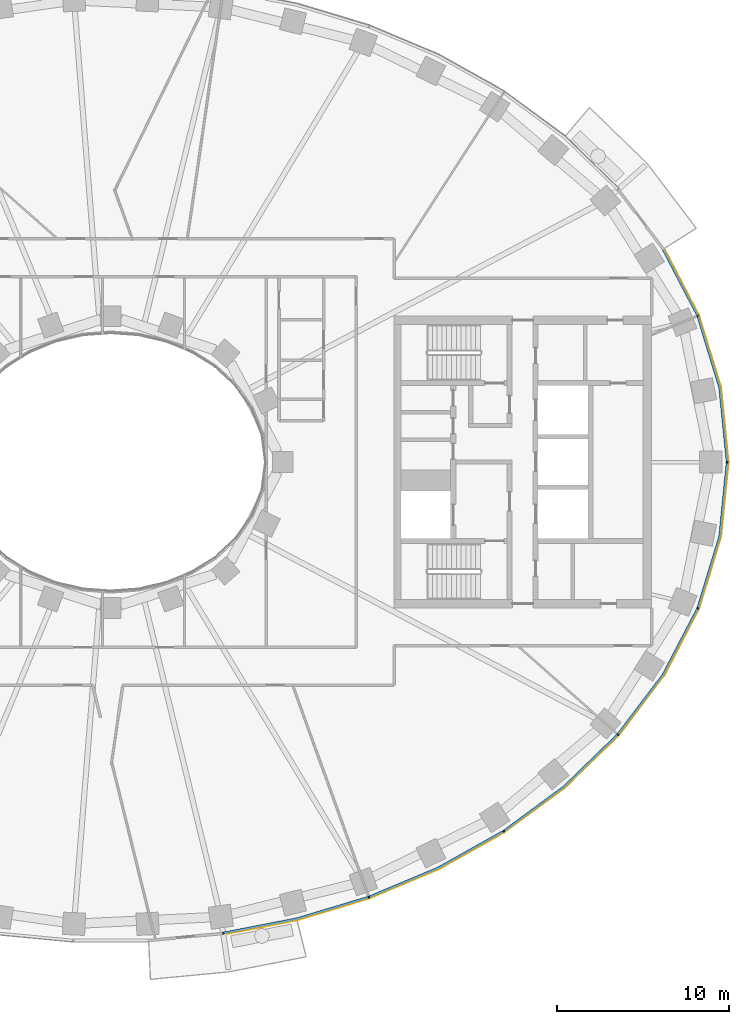
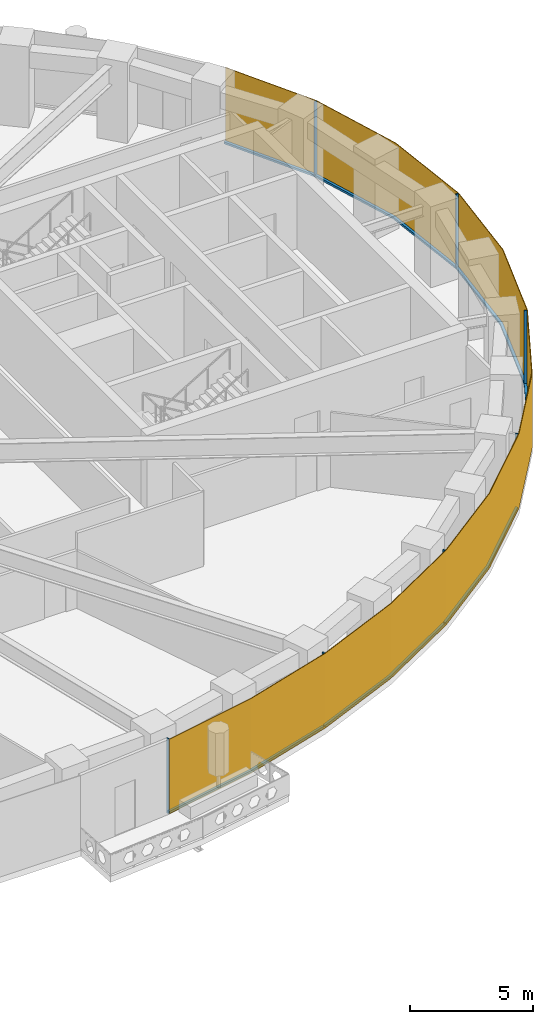
# One storey, part 10 of 16: 14 members, 1 curtain wall.
"""IFC4 building model written with IfcOpenShell, lengths in metres."""

import ifcopenshell
import ifcopenshell.guid

model = None  # the IFC model being written
_history = None  # IfcOwnerHistory: only IFC2X3 demands one
_inside = {}  # id of a spatial element -> (the spatial element, [elements in it])
_under = {}  # id of a project, library or spatial element -> (it, [spatial elements below it])
_declared = {}  # id of a project -> (the project, [libraries it declares])
_typed = {}  # id of a type object -> (the type object, [elements of that type])
_made_of = {}  # id of a material, layer set ... -> (it, [elements and type objects made of it])


def new_model(schema):
    """Start an empty IFC model of exactly this schema.

    Asked for "IFC4X3", IfcOpenShell would pick the latest addendum, in which some entities
    have other attributes; the version numbers below select the first issue.
    IFC2X3 requires an IfcOwnerHistory on every rooted entity: one is made here for all.
    """
    global model, _history
    if schema == "IFC4X3":
        model = ifcopenshell.file(schema_version=(4, 3, 0, 0))
    else:
        model = ifcopenshell.file(schema=schema)
    _inside.clear()
    _under.clear()
    _declared.clear()
    _typed.clear()
    _made_of.clear()
    _history = None
    if model.schema == "IFC2X3":
        org = make("IfcOrganization", Name="unknown")
        user = make(
            "IfcPersonAndOrganization",
            ThePerson=make("IfcPerson", FamilyName="unknown"),
            TheOrganization=org,
        )
        app = make(
            "IfcApplication",
            ApplicationDeveloper=org,
            Version="unknown",
            ApplicationFullName="unknown",
            ApplicationIdentifier="unknown",
        )
        _history = make(
            "IfcOwnerHistory",
            OwningUser=user,
            OwningApplication=app,
            ChangeAction="ADDED",
            CreationDate=0,
        )
    return model


def make(cls, **values):
    """One entity of the class cls with the attributes given. An attribute that is None is left unset."""
    return model.create_entity(
        cls, **{name: value for name, value in values.items() if value is not None}
    )


def rooted(cls, **values):
    """An entity with a GlobalId (a new one), such as an element, a storey or a relation."""
    return make(cls, GlobalId=ifcopenshell.guid.new(), OwnerHistory=_history, **values)


def si_unit(unit_type, name, prefix=None):
    """IfcSIUnit, for example si_unit("LENGTHUNIT", "METRE", prefix="MILLI")."""
    return make("IfcSIUnit", UnitType=unit_type, Prefix=prefix, Name=name)


def assignment(units):
    """IfcUnitAssignment: the units of a project."""
    return None if units is None else make("IfcUnitAssignment", Units=units)


def point(xyz):
    """IfcCartesianPoint."""
    return None if xyz is None else make("IfcCartesianPoint", Coordinates=xyz)


def direction(xyz):
    """IfcDirection."""
    return None if xyz is None else make("IfcDirection", DirectionRatios=xyz)


def frame(location, z_axis=None, x_axis=None):
    """IfcAxis2Placement3D, a coordinate frame: its origin and axes. An axis left out is left unset."""
    return make(
        "IfcAxis2Placement3D",
        Location=point(location),
        Axis=direction(z_axis),
        RefDirection=direction(x_axis),
    )


def frame_2d(location, x_axis=None):
    """IfcAxis2Placement2D, a coordinate frame in the plane: its origin and x axis."""
    return make(
        "IfcAxis2Placement2D", Location=point(location), RefDirection=direction(x_axis)
    )


def origin():
    """The frame at (0, 0, 0) with its axes left unset."""
    return frame((0.0, 0.0, 0.0))


def origin_2d():
    """The frame at (0, 0) in the plane with its x axis left unset."""
    return frame_2d((0.0, 0.0))


def place(relative_to, where):
    """IfcLocalPlacement: puts the frame where relative to a parent placement (None: the world)."""
    return make(
        "IfcLocalPlacement", PlacementRelTo=relative_to, RelativePlacement=where
    )


def context(
    kind, dimensions, precision=None, world=None, true_north=None, identifier=None
):
    """IfcGeometricRepresentationContext, for example the 3D "Model" context."""
    return make(
        "IfcGeometricRepresentationContext",
        ContextIdentifier=identifier,
        ContextType=kind,
        CoordinateSpaceDimension=dimensions,
        Precision=precision,
        WorldCoordinateSystem=world,
        TrueNorth=true_north,
    )


def subcontext(parent, identifier, kind, view, scale=None):
    """IfcGeometricRepresentationSubContext, for example "Body" below "Model"."""
    return make(
        "IfcGeometricRepresentationSubContext",
        ContextIdentifier=identifier,
        ContextType=kind,
        ParentContext=parent,
        TargetScale=scale,
        TargetView=view,
    )


def project(units=None, contexts=None):
    """IfcProject with its units and contexts."""
    return rooted(
        "IfcProject",
        Name="project",
        RepresentationContexts=contexts,
        UnitsInContext=assignment(units),
    )


def spatial(cls, under=None, at=None, **own):
    """A site, building, storey or space (cls), placed at a placement, below another one or the project."""
    s = rooted(cls, ObjectPlacement=at, **own)
    if under is not None:
        _under.setdefault(under.id(), (under, []))[1].append(s)
    return s


def polyline(points):
    """IfcPolyline through the points."""
    return make("IfcPolyline", Points=[point(p) for p in points])


def profile(cls, at=None, kind="AREA", **sizes):
    """A parametric profile (cls). Its sizes go by their IFC names, for example OverallWidth=200.0."""
    return make(cls, ProfileType=kind, Position=at, **sizes)


def rectangle(**sizes):
    """IfcRectangleProfileDef."""
    return profile("IfcRectangleProfileDef", **sizes)


def outline(outer, holes=None, kind="AREA"):
    """IfcArbitraryClosedProfileDef: a profile drawn as a closed curve; with holes, ...WithVoids."""
    if holes is None:
        return make("IfcArbitraryClosedProfileDef", ProfileType=kind, OuterCurve=outer)
    return make(
        "IfcArbitraryProfileDefWithVoids",
        ProfileType=kind,
        OuterCurve=outer,
        InnerCurves=holes,
    )


def extrude(swept, where, along, depth):
    """IfcExtrudedAreaSolid: the profile swept, set in the frame where, extruded along a direction by depth."""
    return make(
        "IfcExtrudedAreaSolid",
        SweptArea=swept,
        Position=where,
        ExtrudedDirection=direction(along),
        Depth=depth,
    )


def shape(context_of_items, identifier, shape_type, items):
    """IfcShapeRepresentation: the items that make up one representation, for example the "Body"."""
    return make(
        "IfcShapeRepresentation",
        ContextOfItems=context_of_items,
        RepresentationIdentifier=identifier,
        RepresentationType=shape_type,
        Items=items,
    )


def material(Name=None, Category=None):
    """IfcMaterial."""
    return make("IfcMaterial", Name=Name, Category=Category)


def layer(
    of_material, thickness, ventilated=None, Name=None, Category=None, Priority=None
):
    """IfcMaterialLayer: one layer of a wall or slab, of a material (None: an air gap)."""
    return make(
        "IfcMaterialLayer",
        Material=of_material,
        LayerThickness=thickness,
        IsVentilated=ventilated,
        Name=Name,
        Category=Category,
        Priority=Priority,
    )


def layer_set(layers, Name=None):
    """IfcMaterialLayerSet."""
    return make("IfcMaterialLayerSet", MaterialLayers=layers, LayerSetName=Name)


def material_profile(
    of_material, cross_section, Name=None, Category=None, Priority=None
):
    """IfcMaterialProfile: a cross section and its material."""
    return make(
        "IfcMaterialProfile",
        Name=Name,
        Material=of_material,
        Profile=cross_section,
        Priority=Priority,
        Category=Category,
    )


def profile_set(profiles, Name=None, composite=None):
    """IfcMaterialProfileSet."""
    return make(
        "IfcMaterialProfileSet",
        Name=Name,
        MaterialProfiles=profiles,
        CompositeProfile=composite,
    )


def made_of(thing, what):
    """Note that an element or type object is made of a material, layer set ...; save() writes the relation."""
    if what is not None:
        _made_of.setdefault(what.id(), (what, []))[1].append(thing)
    return thing


def type_object(cls, material=None, **own):
    """A type object (cls), such as IfcWallType, which elements share."""
    return made_of(rooted(cls, **own), material)


def element(
    cls,
    number,
    at=None,
    inside=None,
    cuts=None,
    type_object=None,
    material=None,
    context=None,
    identifier="Body",
    shape_type=None,
    held_by="IfcProductDefinitionShape",
    body=None,
    shapes=None,
    **own,
):
    """One element of the class cls, such as IfcWall. Its Tag is "e" and its number.

    at: its placement. inside: the storey or other place that contains it. cuts: it is an
    opening in that element (IfcRelVoidsElement). A single representation is given by context,
    identifier, shape_type and body (its items); several are given by shapes. held_by: the class
    of the entity that holds the representations. save() writes the other relations.
    """
    e = rooted(cls, Tag="e%d" % number, ObjectPlacement=at, **own)
    if body is not None:
        shapes = [shape(context, identifier, shape_type, body)]
    if shapes is not None:
        e.Representation = make(held_by, Representations=shapes)
    if inside is not None:
        _inside.setdefault(inside.id(), (inside, []))[1].append(e)
    if cuts is not None:
        rooted(
            "IfcRelVoidsElement", RelatingBuildingElement=cuts, RelatedOpeningElement=e
        )
    if type_object is not None:
        _typed.setdefault(type_object.id(), (type_object, []))[1].append(e)
    return made_of(e, material)


def aggregate(whole, parts):
    """IfcRelAggregates: a whole, such as a stair, and the parts it consists of."""
    return rooted("IfcRelAggregates", RelatingObject=whole, RelatedObjects=parts)


def save(model, path):
    """Write the relations noted so far, then the file.

    IfcRelAggregates (storeys below a building ...), IfcRelContainedInSpatialStructure (elements
    in a storey), IfcRelDefinesByType, IfcRelAssociatesMaterial and IfcRelDeclares: one each for
    every whole, place, type object, material and project.
    """
    for whole, parts in _under.values():
        aggregate(whole, parts)
    for where, things in _inside.values():
        rooted(
            "IfcRelContainedInSpatialStructure",
            RelatedElements=things,
            RelatingStructure=where,
        )
    for kind, things in _typed.values():
        rooted("IfcRelDefinesByType", RelatedObjects=things, RelatingType=kind)
    for what, things in _made_of.values():
        rooted("IfcRelAssociatesMaterial", RelatedObjects=things, RelatingMaterial=what)
    for by, libraries in _declared.values():
        rooted("IfcRelDeclares", RelatingContext=by, RelatedDefinitions=libraries)
    model.write(path)


model = new_model("IFC4")

# Units and contexts
model_context = context("Model", 3, precision=1e-05, world=origin(), true_north=direction((0.0, 1.0)))
body_context = subcontext(model_context, "Body", "Model", "MODEL_VIEW")
ifc_project = project(units=[si_unit("LENGTHUNIT", "METRE"), si_unit("AREAUNIT", "SQUARE_METRE"), si_unit("VOLUMEUNIT", "CUBIC_METRE"), si_unit("PLANEANGLEUNIT", "RADIAN"), si_unit("MASSUNIT", "GRAM", prefix="KILO")], contexts=[model_context])

# Member
ifc_material_1 = material(Name="Aluminium 6063-T6 black anodised", Category="aluminium")
ifc_material_profile = material_profile(ifc_material_1, rectangle(XDim=0.1201171875, YDim=0.06005859375, at=origin_2d()), Name="120x60")
ifc_profile_set = profile_set([ifc_material_profile], Name="Aluminium 6063-T6 black anodised")
member_type_1 = type_object("IfcMemberType", Name="ENV-MULLION-A-120", PredefinedType="MULLION", material=ifc_profile_set)
site_placement = place(None, origin())
building_placement = place(site_placement, origin())
storey_placement = place(building_placement, frame((0.0, 0.0, 108.0)))
member_1_placement = place(storey_placement, frame((6.54638671875, -27.440185546875, 0.0), z_axis=(0.0, 0.0, 1.0), x_axis=(-0.143082012705, 0.989710835366, 0.0)))
member_1 = element("IfcMember", 1, at=member_1_placement, type_object=member_type_1, Name="Mullion A radial 37", PredefinedType="MULLION", context=body_context, shape_type="SweptSolid", body=[
    extrude(rectangle(XDim=0.1201171875, YDim=0.06005859375, at=origin_2d()), origin(), (0.0, 0.0, 1.0), 3.699951171875),
])

member_2_placement = place(storey_placement, frame((15.0341796875, -25.34375, 0.0), z_axis=(0.0, 0.0, 1.0), x_axis=(-0.338379256581, 0.941009818608, 0.0)))
member_2 = element("IfcMember", 2, at=member_2_placement, type_object=member_type_1, Name="Mullion A radial 39", PredefinedType="MULLION", context=body_context, shape_type="SweptSolid", body=[
    extrude(rectangle(XDim=0.1201171875, YDim=0.06005859375, at=origin_2d()), origin(), (0.0, 0.0, 1.0), 3.699951171875),
])

member_3_placement = place(storey_placement, frame((22.882568359375, -21.506591796875, 0.0), z_axis=(0.0, 0.0, 1.0), x_axis=(-0.542279153225, 0.840198381323, 0.0)))
member_3 = element("IfcMember", 3, at=member_3_placement, type_object=member_type_1, Name="Mullion A radial 41", PredefinedType="MULLION", context=body_context, shape_type="SweptSolid", body=[
    extrude(rectangle(XDim=0.1201171875, YDim=0.06005859375, at=origin_2d()), origin(), (0.0, 0.0, 1.0), 3.699951171875),
])

member_4_placement = place(storey_placement, frame((29.53857421875, -15.8671875, 0.0), z_axis=(0.0, 0.0, 1.0), x_axis=(-0.749047221705, 0.662516610853, 0.0)))
member_4 = element("IfcMember", 4, at=member_4_placement, type_object=member_type_1, Name="Mullion A radial 43", PredefinedType="MULLION", context=body_context, shape_type="SweptSolid", body=[
    extrude(rectangle(XDim=0.1201171875, YDim=0.06005859375, at=origin_2d()), origin(), (0.0, 0.0, 1.0), 3.699951171875),
])

member_5_placement = place(storey_placement, frame((34.19580078125, -8.513916015625, 0.0), z_axis=(0.0, 0.0, 1.0), x_axis=(-0.92546738067, 0.378827305398, 0.0)))
member_5 = element("IfcMember", 5, at=member_5_placement, type_object=member_type_1, Name="Mullion A radial 45", PredefinedType="MULLION", context=body_context, shape_type="SweptSolid", body=[
    extrude(rectangle(XDim=0.1201171875, YDim=0.06005859375, at=origin_2d()), origin(), (0.0, 0.0, 1.0), 3.699951171875),
])

member_6_placement = place(storey_placement, frame((35.907958984375, 0.0, 0.0), z_axis=(0.0, 0.0, 1.0), x_axis=(-1.0, 0.0, 0.0)))
member_6 = element("IfcMember", 6, at=member_6_placement, type_object=member_type_1, Name="Mullion A radial 01", PredefinedType="MULLION", context=body_context, shape_type="SweptSolid", body=[
    extrude(rectangle(XDim=0.1201171875, YDim=0.06005859375, at=origin_2d()), origin(), (0.0, 0.0, 1.0), 3.699951171875),
])

member_7_placement = place(storey_placement, frame((34.19580078125, 8.513916015625, 0.0), z_axis=(0.0, 0.0, 1.0), x_axis=(-0.92546738067, -0.378827305398, 0.0)))
member_7 = element("IfcMember", 7, at=member_7_placement, type_object=member_type_1, Name="Mullion A radial 03", PredefinedType="MULLION", context=body_context, shape_type="SweptSolid", body=[
    extrude(rectangle(XDim=0.1201171875, YDim=0.06005859375, at=origin_2d()), origin(), (0.0, 0.0, 1.0), 3.699951171875),
])

ifc_material_2 = material(Name="Aluminium 6063-T6 black anodised", Category="aluminium")
member_type_2 = type_object("IfcMemberType", Name="ENV-TRANSOM-A", PredefinedType="USERDEFINED", material=ifc_material_2)
member_8_placement = place(storey_placement, origin())
member_8 = element("IfcMember", 8, at=member_8_placement, type_object=member_type_2, Name="Transom A radial 37-39", ObjectType="TRANSOM", PredefinedType="USERDEFINED", context=body_context, shape_type="SweptSolid", body=[
    extrude(outline(polyline([(6.58251953125, -27.494140625), (10.857666015625, -26.6630859375), (15.027587890625, -25.408203125), (14.987060546875, -25.295166015625), (10.828857421875, -26.54638671875), (6.5654296875, -27.375244140625), (6.58251953125, -27.494140625)])), origin(), (0.0, 0.0, 1.0), 0.10009765625),
])

member_9_placement = place(storey_placement, origin())
member_9 = element("IfcMember", 9, at=member_9_placement, type_object=member_type_2, Name="Transom A radial 39-41", ObjectType="TRANSOM", PredefinedType="USERDEFINED", context=body_context, shape_type="SweptSolid", body=[
    extrude(outline(polyline([(15.080322265625, -25.389404296875), (19.093994140625, -23.701416015625), (22.890625, -21.570556640625), (22.825439453125, -21.469482421875), (19.041259765625, -23.593505859375), (15.03955078125, -25.276123046875), (15.080322265625, -25.389404296875)])), origin(), (0.0, 0.0, 1.0), 0.10009765625),
])

member_10_placement = place(storey_placement, origin())
member_10 = element("IfcMember", 10, at=member_10_placement, type_object=member_type_2, Name="Transom A radial 41-43", ObjectType="TRANSOM", PredefinedType="USERDEFINED", context=body_context, shape_type="SweptSolid", body=[
    extrude(outline(polyline([(22.937744140625, -21.540283203125), (26.4423828125, -18.958740234375), (29.5634765625, -15.926513671875), (29.473388671875, -15.8466796875), (26.364501953125, -18.866943359375), (22.87255859375, -21.439208984375), (22.937744140625, -21.540283203125)])), origin(), (0.0, 0.0, 1.0), 0.10009765625),
])

member_11_placement = place(storey_placement, origin())
member_11 = element("IfcMember", 11, at=member_11_placement, type_object=member_type_2, Name="Transom A radial 43-45", ObjectType="TRANSOM", PredefinedType="USERDEFINED", context=body_context, shape_type="SweptSolid", body=[
    extrude(outline(polyline([(29.6005859375, -15.884521484375), (32.22802734375, -12.41748046875), (34.23828125, -8.5615234375), (34.126708984375, -8.515869140625), (32.126220703125, -12.35302734375), (29.51025390625, -15.8046875), (29.6005859375, -15.884521484375)])), origin(), (0.0, 0.0, 1.0), 0.10009765625),
])

member_12_placement = place(storey_placement, origin())
member_12 = element("IfcMember", 12, at=member_12_placement, type_object=member_type_2, Name="Transom A radial 45-01", ObjectType="TRANSOM", PredefinedType="USERDEFINED", context=body_context, shape_type="SweptSolid", body=[
    extrude(outline(polyline([(34.259521484375, -8.509765625), (35.529541015625, -4.352294921875), (35.965087890625, -0.02783203125), (35.844482421875, -0.02783203125), (35.411376953125, -4.32861328125), (34.14794921875, -8.464111328125), (34.259521484375, -8.509765625)])), origin(), (0.0, 0.0, 1.0), 0.10009765625),
])

member_13_placement = place(storey_placement, origin())
member_13 = element("IfcMember", 13, at=member_13_placement, type_object=member_type_2, Name="Transom A radial 01-03", ObjectType="TRANSOM", PredefinedType="USERDEFINED", context=body_context, shape_type="SweptSolid", body=[
    extrude(outline(polyline([(35.965087890625, 0.02783203125), (35.529541015625, 4.352294921875), (34.259521484375, 8.509765625), (34.14794921875, 8.464111328125), (35.411376953125, 4.32861328125), (35.844482421875, 0.02783203125), (35.965087890625, 0.02783203125)])), origin(), (0.0, 0.0, 1.0), 0.10009765625),
])

member_14_placement = place(storey_placement, origin())
member_14 = element("IfcMember", 14, at=member_14_placement, type_object=member_type_2, Name="Transom A radial 03-04", ObjectType="TRANSOM", PredefinedType="USERDEFINED", context=body_context, shape_type="SweptSolid", body=[
    extrude(outline(polyline([(34.23828125, 8.5615234375), (32.2373046875, 12.39990234375), (32.135498046875, 12.33544921875), (34.126708984375, 8.515869140625), (34.23828125, 8.5615234375)])), origin(), (0.0, 0.0, 1.0), 0.10009765625),
])

# Site, building, storey
site = spatial("IfcSite", under=ifc_project, at=site_placement, CompositionType="ELEMENT")
building = spatial("IfcBuilding", under=site, at=building_placement, Name="Noorbagh Ring Tower", CompositionType="ELEMENT")
storey = spatial("IfcBuildingStorey", under=building, at=storey_placement, Name="L24", CompositionType="ELEMENT", Elevation=108.0)

# Curtain wall
ifc_material_3 = material(Name="Glass dark tinted laminated", Category="glass")
ifc_layer = layer(ifc_material_3, 0.031982421875)
ifc_layer_set = layer_set([ifc_layer], Name="Glass dark tinted laminated")
curtain_wall_type = type_object("IfcCurtainWallType", Name="ENV-CW-A", PredefinedType="NOTDEFINED", material=ifc_layer_set)
curtain_wall_placement = place(storey_placement, origin())
curtain_wall = element("IfcCurtainWall", 15, at=curtain_wall_placement, inside=storey, type_object=curtain_wall_type, Name="Curtain wall A R37", PredefinedType="NOTDEFINED", context=body_context, shape_type="SweptSolid", body=[
    extrude(outline(polyline([(6.579345703125, -27.52734375), (10.865234375, -26.6943359375), (15.065185546875, -25.430419921875), (19.108154296875, -23.730224609375), (22.9326171875, -21.583740234375), (26.463134765625, -18.9833984375), (29.607666015625, -15.927978515625), (32.255126953125, -12.434814453125), (34.281005859375, -8.548828125), (35.561279296875, -4.358642578125), (36.0, 0.0), (35.561279296875, 4.358642578125), (34.281005859375, 8.548828125), (32.264404296875, 12.4169921875), (32.2373046875, 12.39990234375), (34.251220703125, 8.53662109375), (35.529541015625, 4.352294921875), (35.9677734375, 0.0), (35.529541015625, -4.352294921875), (34.251220703125, -8.53662109375), (32.22802734375, -12.41748046875), (29.58349609375, -15.906982421875), (26.4423828125, -18.958740234375), (22.9150390625, -21.556884765625), (19.093994140625, -23.701416015625), (15.054443359375, -25.400146484375), (10.857666015625, -26.6630859375), (6.57470703125, -27.49560546875), (6.579345703125, -27.52734375)])), origin(), (0.0, 0.0, 1.0), 3.699951171875),
])

aggregate(curtain_wall, [member_1, member_2, member_3, member_4, member_5, member_6, member_7, member_8, member_9, member_10, member_11, member_12, member_13, member_14])

save(model, "model.ifc")
